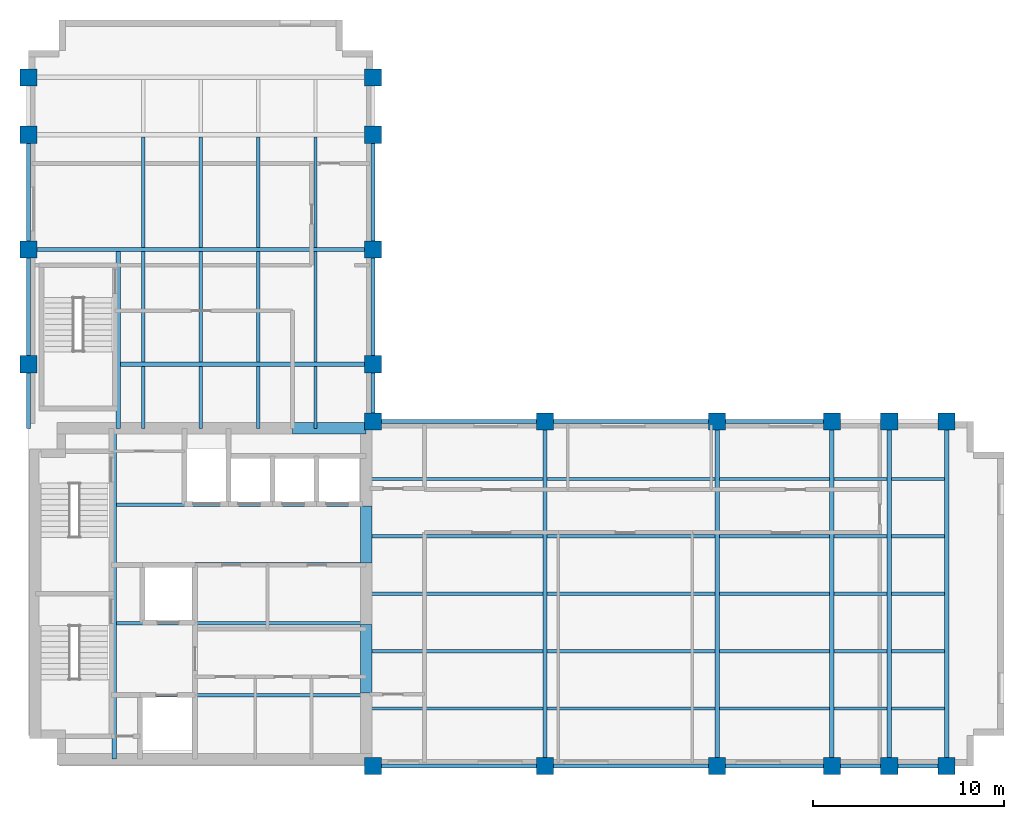
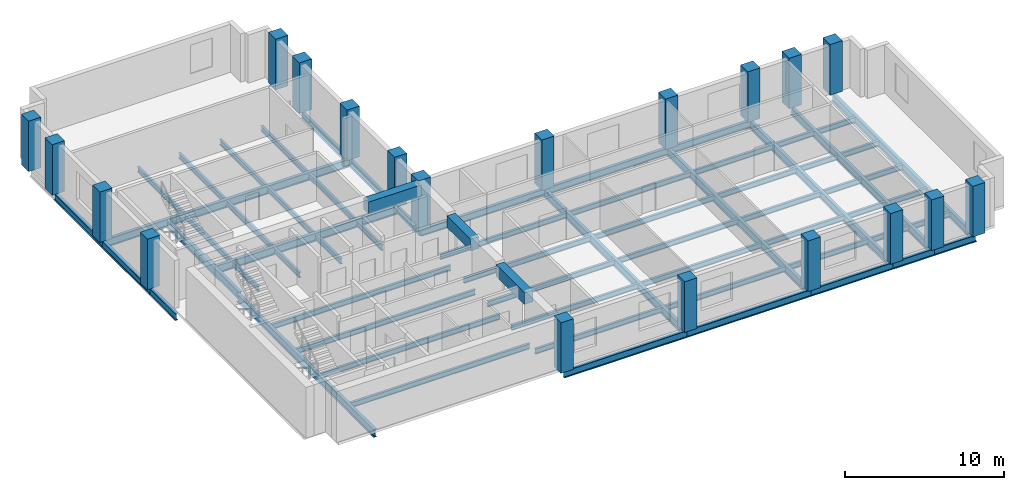
# One storey, part 1 of 6: 67 beams, 20 columns.
"""IFC4 building model written with IfcOpenShell, lengths in metres."""

from ifc_helpers import new_model, si_unit, direction, frame, origin, origin_2d, place, context, subcontext, project, spatial, rectangle, i_section, extrude, material, material_profile, profile_set, type_object, element, save


model = new_model("IFC4")

# Units and contexts
model_context = context("Model", 3, precision=1e-05, world=origin(), true_north=direction((0.0, 1.0)))
body_context = subcontext(model_context, "Body", "Model", "MODEL_VIEW")
ifc_project = project(units=[si_unit("LENGTHUNIT", "METRE"), si_unit("AREAUNIT", "SQUARE_METRE"), si_unit("VOLUMEUNIT", "CUBIC_METRE"), si_unit("PLANEANGLEUNIT", "RADIAN"), si_unit("MASSUNIT", "GRAM", prefix="KILO")], contexts=[model_context])

# Site, building, storey
site_placement = place(None, origin())
site = spatial("IfcSite", under=ifc_project, at=site_placement, CompositionType="ELEMENT")
building_placement = place(site_placement, origin())
building = spatial("IfcBuilding", under=site, at=building_placement, Name="Mawjdan Bourse Tower", CompositionType="ELEMENT")
storey_placement = place(building_placement, frame((0.0, 0.0, 207.300048828125)))
storey = spatial("IfcBuildingStorey", under=building, at=storey_placement, Name="L50", CompositionType="ELEMENT", Elevation=207.300048828125)

# Columns
ifc_material_1 = material(Name="Concrete C70/85", Category="concrete")
ifc_material_profile_1 = material_profile(ifc_material_1, rectangle(XDim=0.89990234375, YDim=0.89990234375, at=origin_2d()), Name="RC900X900")
ifc_profile_set_1 = profile_set([ifc_material_profile_1], Name="Concrete C70/85")
column_type = type_object("IfcColumnType", Name="COL-RC900X900", PredefinedType="COLUMN", material=ifc_profile_set_1)
for number, where, z_axis, x_axis, name in (
    (1, (24.0, 3.0, 0.0), (0.0, 0.0, 1.0), (1.0, 0.0, 0.0), "L50 Structural Column C-X240-Y30"),
    (2, (24.0, 21.0, 0.0), (0.0, 0.0, 1.0), (1.0, 0.0, 0.0), "L50 Structural Column C-X240-Y210"),
    (3, (33.0, 3.0, 0.0), (0.0, 0.0, 1.0), (1.0, 0.0, 0.0), "L50 Structural Column C-X330-Y30"),
    (4, (33.0, 21.0, 0.0), (0.0, 0.0, 1.0), (1.0, 0.0, 0.0), "L50 Structural Column C-X330-Y210"),
    (5, (42.0, 3.0, 0.0), (0.0, 0.0, 1.0), (1.0, 0.0, 0.0), "L50 Structural Column C-X420-Y30"),
    (6, (42.0, 21.0, 0.0), (0.0, 0.0, 1.0), (1.0, 0.0, 0.0), "L50 Structural Column C-X420-Y210"),
    (7, (48.0, 3.0, 0.0), (0.0, 0.0, 1.0), (1.0, 0.0, 0.0), "L50 Structural Column C-X480-Y30"),
    (8, (48.0, 21.0, 0.0), (0.0, 0.0, 1.0), (1.0, 0.0, 0.0), "L50 Structural Column C-X480-Y210"),
    (9, (51.0, 3.0, 0.0), (0.0, 0.0, 1.0), (1.0, 0.0, 0.0), "L50 Structural Column C-X510-Y30"),
    (10, (51.0, 21.0, 0.0), (0.0, 0.0, 1.0), (1.0, 0.0, 0.0), "L50 Structural Column C-X510-Y210"),
    (11, (54.0, 3.0, 0.0), (0.0, 0.0, 1.0), (1.0, 0.0, 0.0), "L50 Structural Column C-X540-Y30"),
    (12, (54.0, 21.0, 0.0), (0.0, 0.0, 1.0), (1.0, 0.0, 0.0), "L50 Structural Column C-X540-Y210"),
    (13, (6.0, 24.0, 0.0), (0.0, 0.0, 1.0), (1.0, 0.0, 0.0), "L50 Structural Column C-X60-Y240"),
    (14, (24.0, 24.0, 0.0), (0.0, 0.0, 1.0), (1.0, 0.0, 0.0), "L50 Structural Column C-X240-Y240"),
    (15, (6.0, 30.0, 0.0), (0.0, 0.0, 1.0), (1.0, 0.0, 0.0), "L50 Structural Column C-X60-Y300"),
    (16, (24.0, 30.0, 0.0), (0.0, 0.0, 1.0), (1.0, 0.0, 0.0), "L50 Structural Column C-X240-Y300"),
    (17, (6.0, 36.0, 0.0), (0.0, 0.0, 1.0), (1.0, 0.0, 0.0), "L50 Structural Column C-X60-Y360"),
    (18, (24.0, 36.0, 0.0), (0.0, 0.0, 1.0), (1.0, 0.0, 0.0), "L50 Structural Column C-X240-Y360"),
    (19, (6.0, 39.0, 0.0), (0.0, 0.0, 1.0), (1.0, 0.0, 0.0), "L50 Structural Column C-X60-Y390"),
    (20, (24.0, 39.0, 0.0), (0.0, 0.0, 1.0), (1.0, 0.0, 0.0), "L50 Structural Column C-X240-Y390"),
):
    element("IfcColumn", number, at=place(storey_placement, frame(where, z_axis=z_axis, x_axis=x_axis)), inside=storey, type_object=column_type, Name=name, PredefinedType="COLUMN", context=body_context, shape_type="SweptSolid", body=[
        extrude(rectangle(XDim=0.89990234375, YDim=0.89990234375, at=origin_2d()), origin(), (0.0, 0.0, 1.0), 3.89990234375),
    ])

# Beams
ifc_material_2 = material(Name="Structural Steel S355", Category="steel")
ifc_material_profile_2 = material_profile(ifc_material_2, i_section(OverallWidth=0.22998046875, OverallDepth=0.616943359375, WebThickness=0.01318359375, FlangeThickness=0.022216796875, FilletRadius=0.017822265625, at=origin_2d()), Name="W24X94")
ifc_profile_set_2 = profile_set([ifc_material_profile_2], Name="Structural Steel S355")
beam_type_1 = type_object("IfcBeamType", Name="GRD-W24X94", PredefinedType="BEAM", material=ifc_profile_set_2)
beam_1_placement = place(storey_placement, frame((10.47998046875, 3.35009765625, -0.508544921875), z_axis=(0.0, 1.0, 0.0), x_axis=(-1.0, 0.0, 0.0)))
element("IfcBeam", 21, at=beam_1_placement, inside=storey, type_object=beam_type_1, Name="L50 Core Stair Trimmer Girder 001", PredefinedType="BEAM", context=body_context, shape_type="SweptSolid", body=[
    extrude(i_section(OverallWidth=0.22998046875, OverallDepth=0.616943359375, WebThickness=0.01318359375, FlangeThickness=0.022216796875, FilletRadius=0.017822265625, at=origin_2d()), origin(), (0.0, 0.0, 1.0), 17.2998046875),
])
for number, where, z_axis, x_axis, name in (
    (22, (33.0, 3.0, -0.508544921875), (0.0, 1.0, 0.0), (-1.0, 0.0, 0.0), "L50 East Wing Clear-Span Girder 002"),
    (23, (42.0, 3.0, -0.508544921875), (0.0, 1.0, 0.0), (-1.0, 0.0, 0.0), "L50 East Wing Clear-Span Girder 003"),
    (24, (48.0, 3.0, -0.508544921875), (0.0, 1.0, 0.0), (-1.0, 0.0, 0.0), "L50 East Wing Clear-Span Girder 004"),
    (25, (51.0, 3.0, -0.508544921875), (0.0, 1.0, 0.0), (-1.0, 0.0, 0.0), "L50 East Wing Clear-Span Girder 005"),
    (26, (54.0, 3.0, -0.508544921875), (0.0, 1.0, 0.0), (-1.0, 0.0, 0.0), "L50 East Wing Clear-Span Girder 006"),
):
    element("IfcBeam", number, at=place(storey_placement, frame(where, z_axis=z_axis, x_axis=x_axis)), inside=storey, type_object=beam_type_1, Name=name, PredefinedType="BEAM", context=body_context, shape_type="SweptSolid", body=[
        extrude(i_section(OverallWidth=0.22998046875, OverallDepth=0.616943359375, WebThickness=0.01318359375, FlangeThickness=0.022216796875, FilletRadius=0.017822265625, at=origin_2d()), origin(), (0.0, 0.0, 1.0), 18.0),
    ])
beam_2_placement = place(storey_placement, frame((10.679931640625, 20.64990234375, -0.508544921875), z_axis=(0.0, 1.0, 0.0), x_axis=(-1.0, 0.0, 0.0)))
element("IfcBeam", 27, at=beam_2_placement, inside=storey, type_object=beam_type_1, Name="L50 North Wing Stair Trimmer Girder 046", PredefinedType="BEAM", context=body_context, shape_type="SweptSolid", body=[
    extrude(i_section(OverallWidth=0.22998046875, OverallDepth=0.616943359375, WebThickness=0.01318359375, FlangeThickness=0.022216796875, FilletRadius=0.017822265625, at=origin_2d()), origin(), (0.0, 0.0, 1.0), 9.237060546875),
])
beam_3_placement = place(storey_placement, frame((10.79296875, 24.0, -0.508544921875), z_axis=(1.0, 0.0, 0.0), x_axis=(0.0, 1.0, 0.0)))
element("IfcBeam", 28, at=beam_3_placement, inside=storey, type_object=beam_type_1, Name="L50 North Wing Clear-Span Girder 047", PredefinedType="BEAM", context=body_context, shape_type="SweptSolid", body=[
    extrude(i_section(OverallWidth=0.22998046875, OverallDepth=0.616943359375, WebThickness=0.01318359375, FlangeThickness=0.022216796875, FilletRadius=0.017822265625, at=origin_2d()), origin(), (0.0, 0.0, 1.0), 13.20703125),
])
beam_4_placement = place(storey_placement, frame((6.0, 30.0, -0.508544921875), z_axis=(1.0, 0.0, 0.0), x_axis=(0.0, 1.0, 0.0)))
element("IfcBeam", 29, at=beam_4_placement, inside=storey, type_object=beam_type_1, Name="L50 North Wing Clear-Span Girder 048", PredefinedType="BEAM", context=body_context, shape_type="SweptSolid", body=[
    extrude(i_section(OverallWidth=0.22998046875, OverallDepth=0.616943359375, WebThickness=0.01318359375, FlangeThickness=0.022216796875, FilletRadius=0.017822265625, at=origin_2d()), origin(), (0.0, 0.0, 1.0), 18.0),
])
ifc_material_profile_3 = material_profile(ifc_material_2, i_section(OverallWidth=0.177978515625, OverallDepth=0.406982421875, WebThickness=0.0078125, FlangeThickness=0.0126953125, FilletRadius=0.01025390625, at=origin_2d()), Name="W16X40")
ifc_profile_set_3 = profile_set([ifc_material_profile_3], Name="Structural Steel S355")
beam_type_2 = type_object("IfcBeamType", Name="JST-W16X40", PredefinedType="JOIST", material=ifc_profile_set_3)
beam_5_placement = place(storey_placement, frame((23.64990234375, 6.0, -0.403564453125), z_axis=(1.0, 0.0, 0.0), x_axis=(0.0, 1.0, 0.0)))
element("IfcBeam", 30, at=beam_5_placement, inside=storey, type_object=beam_type_2, Name="L50 East Wing Composite Joist 017", PredefinedType="JOIST", context=body_context, shape_type="SweptSolid", body=[
    extrude(i_section(OverallWidth=0.177978515625, OverallDepth=0.406982421875, WebThickness=0.0078125, FlangeThickness=0.0126953125, FilletRadius=0.01025390625, at=origin_2d()), origin(), (0.0, 0.0, 1.0), 9.237060546875),
])
beam_6_placement = place(storey_placement, frame((33.113037109375, 6.0, -0.403564453125), z_axis=(1.0, 0.0, 0.0), x_axis=(0.0, 1.0, 0.0)))
element("IfcBeam", 31, at=beam_6_placement, inside=storey, type_object=beam_type_2, Name="L50 East Wing Composite Joist 018", PredefinedType="JOIST", context=body_context, shape_type="SweptSolid", body=[
    extrude(i_section(OverallWidth=0.177978515625, OverallDepth=0.406982421875, WebThickness=0.0078125, FlangeThickness=0.0126953125, FilletRadius=0.01025390625, at=origin_2d()), origin(), (0.0, 0.0, 1.0), 8.77392578125),
])
beam_7_placement = place(storey_placement, frame((42.113037109375, 6.0, -0.403564453125), z_axis=(1.0, 0.0, 0.0), x_axis=(0.0, 1.0, 0.0)))
element("IfcBeam", 32, at=beam_7_placement, inside=storey, type_object=beam_type_2, Name="L50 East Wing Composite Joist 019", PredefinedType="JOIST", context=body_context, shape_type="SweptSolid", body=[
    extrude(i_section(OverallWidth=0.177978515625, OverallDepth=0.406982421875, WebThickness=0.0078125, FlangeThickness=0.0126953125, FilletRadius=0.01025390625, at=origin_2d()), origin(), (0.0, 0.0, 1.0), 5.77392578125),
])
for number, where, z_axis, x_axis, name in (
    (33, (48.113037109375, 6.0, -0.403564453125), (1.0, 0.0, 0.0), (0.0, 1.0, 0.0), "L50 East Wing Composite Joist 020"),
    (34, (51.113037109375, 6.0, -0.403564453125), (1.0, 0.0, 0.0), (0.0, 1.0, 0.0), "L50 East Wing Composite Joist 021"),
):
    element("IfcBeam", number, at=place(storey_placement, frame(where, z_axis=z_axis, x_axis=x_axis)), inside=storey, type_object=beam_type_2, Name=name, PredefinedType="JOIST", context=body_context, shape_type="SweptSolid", body=[
        extrude(i_section(OverallWidth=0.177978515625, OverallDepth=0.406982421875, WebThickness=0.0078125, FlangeThickness=0.0126953125, FilletRadius=0.01025390625, at=origin_2d()), origin(), (0.0, 0.0, 1.0), 2.77392578125),
    ])
beam_8_placement = place(storey_placement, frame((23.64990234375, 9.0, -0.403564453125), z_axis=(1.0, 0.0, 0.0), x_axis=(0.0, 1.0, 0.0)))
element("IfcBeam", 35, at=beam_8_placement, inside=storey, type_object=beam_type_2, Name="L50 East Wing Composite Joist 022", PredefinedType="JOIST", context=body_context, shape_type="SweptSolid", body=[
    extrude(i_section(OverallWidth=0.177978515625, OverallDepth=0.406982421875, WebThickness=0.0078125, FlangeThickness=0.0126953125, FilletRadius=0.01025390625, at=origin_2d()), origin(), (0.0, 0.0, 1.0), 9.237060546875),
])
beam_9_placement = place(storey_placement, frame((33.113037109375, 9.0, -0.403564453125), z_axis=(1.0, 0.0, 0.0), x_axis=(0.0, 1.0, 0.0)))
element("IfcBeam", 36, at=beam_9_placement, inside=storey, type_object=beam_type_2, Name="L50 East Wing Composite Joist 023", PredefinedType="JOIST", context=body_context, shape_type="SweptSolid", body=[
    extrude(i_section(OverallWidth=0.177978515625, OverallDepth=0.406982421875, WebThickness=0.0078125, FlangeThickness=0.0126953125, FilletRadius=0.01025390625, at=origin_2d()), origin(), (0.0, 0.0, 1.0), 8.77392578125),
])
beam_10_placement = place(storey_placement, frame((42.113037109375, 9.0, -0.403564453125), z_axis=(1.0, 0.0, 0.0), x_axis=(0.0, 1.0, 0.0)))
element("IfcBeam", 37, at=beam_10_placement, inside=storey, type_object=beam_type_2, Name="L50 East Wing Composite Joist 024", PredefinedType="JOIST", context=body_context, shape_type="SweptSolid", body=[
    extrude(i_section(OverallWidth=0.177978515625, OverallDepth=0.406982421875, WebThickness=0.0078125, FlangeThickness=0.0126953125, FilletRadius=0.01025390625, at=origin_2d()), origin(), (0.0, 0.0, 1.0), 5.77392578125),
])
for number, where, z_axis, x_axis, name in (
    (38, (48.113037109375, 9.0, -0.403564453125), (1.0, 0.0, 0.0), (0.0, 1.0, 0.0), "L50 East Wing Composite Joist 025"),
    (39, (51.113037109375, 9.0, -0.403564453125), (1.0, 0.0, 0.0), (0.0, 1.0, 0.0), "L50 East Wing Composite Joist 026"),
):
    element("IfcBeam", number, at=place(storey_placement, frame(where, z_axis=z_axis, x_axis=x_axis)), inside=storey, type_object=beam_type_2, Name=name, PredefinedType="JOIST", context=body_context, shape_type="SweptSolid", body=[
        extrude(i_section(OverallWidth=0.177978515625, OverallDepth=0.406982421875, WebThickness=0.0078125, FlangeThickness=0.0126953125, FilletRadius=0.01025390625, at=origin_2d()), origin(), (0.0, 0.0, 1.0), 2.77392578125),
    ])
beam_11_placement = place(storey_placement, frame((23.64990234375, 12.0, -0.403564453125), z_axis=(1.0, 0.0, 0.0), x_axis=(0.0, 1.0, 0.0)))
element("IfcBeam", 40, at=beam_11_placement, inside=storey, type_object=beam_type_2, Name="L50 East Wing Composite Joist 027", PredefinedType="JOIST", context=body_context, shape_type="SweptSolid", body=[
    extrude(i_section(OverallWidth=0.177978515625, OverallDepth=0.406982421875, WebThickness=0.0078125, FlangeThickness=0.0126953125, FilletRadius=0.01025390625, at=origin_2d()), origin(), (0.0, 0.0, 1.0), 9.237060546875),
])
beam_12_placement = place(storey_placement, frame((33.113037109375, 12.0, -0.403564453125), z_axis=(1.0, 0.0, 0.0), x_axis=(0.0, 1.0, 0.0)))
element("IfcBeam", 41, at=beam_12_placement, inside=storey, type_object=beam_type_2, Name="L50 East Wing Composite Joist 028", PredefinedType="JOIST", context=body_context, shape_type="SweptSolid", body=[
    extrude(i_section(OverallWidth=0.177978515625, OverallDepth=0.406982421875, WebThickness=0.0078125, FlangeThickness=0.0126953125, FilletRadius=0.01025390625, at=origin_2d()), origin(), (0.0, 0.0, 1.0), 8.77392578125),
])
beam_13_placement = place(storey_placement, frame((42.113037109375, 12.0, -0.403564453125), z_axis=(1.0, 0.0, 0.0), x_axis=(0.0, 1.0, 0.0)))
element("IfcBeam", 42, at=beam_13_placement, inside=storey, type_object=beam_type_2, Name="L50 East Wing Composite Joist 029", PredefinedType="JOIST", context=body_context, shape_type="SweptSolid", body=[
    extrude(i_section(OverallWidth=0.177978515625, OverallDepth=0.406982421875, WebThickness=0.0078125, FlangeThickness=0.0126953125, FilletRadius=0.01025390625, at=origin_2d()), origin(), (0.0, 0.0, 1.0), 5.77392578125),
])
for number, where, z_axis, x_axis, name in (
    (43, (48.113037109375, 12.0, -0.403564453125), (1.0, 0.0, 0.0), (0.0, 1.0, 0.0), "L50 East Wing Composite Joist 030"),
    (44, (51.113037109375, 12.0, -0.403564453125), (1.0, 0.0, 0.0), (0.0, 1.0, 0.0), "L50 East Wing Composite Joist 031"),
):
    element("IfcBeam", number, at=place(storey_placement, frame(where, z_axis=z_axis, x_axis=x_axis)), inside=storey, type_object=beam_type_2, Name=name, PredefinedType="JOIST", context=body_context, shape_type="SweptSolid", body=[
        extrude(i_section(OverallWidth=0.177978515625, OverallDepth=0.406982421875, WebThickness=0.0078125, FlangeThickness=0.0126953125, FilletRadius=0.01025390625, at=origin_2d()), origin(), (0.0, 0.0, 1.0), 2.77392578125),
    ])
beam_14_placement = place(storey_placement, frame((23.64990234375, 15.0, -0.403564453125), z_axis=(1.0, 0.0, 0.0), x_axis=(0.0, 1.0, 0.0)))
element("IfcBeam", 45, at=beam_14_placement, inside=storey, type_object=beam_type_2, Name="L50 East Wing Composite Joist 032", PredefinedType="JOIST", context=body_context, shape_type="SweptSolid", body=[
    extrude(i_section(OverallWidth=0.177978515625, OverallDepth=0.406982421875, WebThickness=0.0078125, FlangeThickness=0.0126953125, FilletRadius=0.01025390625, at=origin_2d()), origin(), (0.0, 0.0, 1.0), 9.237060546875),
])
beam_15_placement = place(storey_placement, frame((33.113037109375, 15.0, -0.403564453125), z_axis=(1.0, 0.0, 0.0), x_axis=(0.0, 1.0, 0.0)))
element("IfcBeam", 46, at=beam_15_placement, inside=storey, type_object=beam_type_2, Name="L50 East Wing Composite Joist 033", PredefinedType="JOIST", context=body_context, shape_type="SweptSolid", body=[
    extrude(i_section(OverallWidth=0.177978515625, OverallDepth=0.406982421875, WebThickness=0.0078125, FlangeThickness=0.0126953125, FilletRadius=0.01025390625, at=origin_2d()), origin(), (0.0, 0.0, 1.0), 8.77392578125),
])
beam_16_placement = place(storey_placement, frame((42.113037109375, 15.0, -0.403564453125), z_axis=(1.0, 0.0, 0.0), x_axis=(0.0, 1.0, 0.0)))
element("IfcBeam", 47, at=beam_16_placement, inside=storey, type_object=beam_type_2, Name="L50 East Wing Composite Joist 034", PredefinedType="JOIST", context=body_context, shape_type="SweptSolid", body=[
    extrude(i_section(OverallWidth=0.177978515625, OverallDepth=0.406982421875, WebThickness=0.0078125, FlangeThickness=0.0126953125, FilletRadius=0.01025390625, at=origin_2d()), origin(), (0.0, 0.0, 1.0), 5.77392578125),
])
for number, where, z_axis, x_axis, name in (
    (48, (48.113037109375, 15.0, -0.403564453125), (1.0, 0.0, 0.0), (0.0, 1.0, 0.0), "L50 East Wing Composite Joist 035"),
    (49, (51.113037109375, 15.0, -0.403564453125), (1.0, 0.0, 0.0), (0.0, 1.0, 0.0), "L50 East Wing Composite Joist 036"),
):
    element("IfcBeam", number, at=place(storey_placement, frame(where, z_axis=z_axis, x_axis=x_axis)), inside=storey, type_object=beam_type_2, Name=name, PredefinedType="JOIST", context=body_context, shape_type="SweptSolid", body=[
        extrude(i_section(OverallWidth=0.177978515625, OverallDepth=0.406982421875, WebThickness=0.0078125, FlangeThickness=0.0126953125, FilletRadius=0.01025390625, at=origin_2d()), origin(), (0.0, 0.0, 1.0), 2.77392578125),
    ])
beam_17_placement = place(storey_placement, frame((23.64990234375, 18.0, -0.403564453125), z_axis=(1.0, 0.0, 0.0), x_axis=(0.0, 1.0, 0.0)))
element("IfcBeam", 50, at=beam_17_placement, inside=storey, type_object=beam_type_2, Name="L50 East Wing Composite Joist 037", PredefinedType="JOIST", context=body_context, shape_type="SweptSolid", body=[
    extrude(i_section(OverallWidth=0.177978515625, OverallDepth=0.406982421875, WebThickness=0.0078125, FlangeThickness=0.0126953125, FilletRadius=0.01025390625, at=origin_2d()), origin(), (0.0, 0.0, 1.0), 9.237060546875),
])
beam_18_placement = place(storey_placement, frame((33.113037109375, 18.0, -0.403564453125), z_axis=(1.0, 0.0, 0.0), x_axis=(0.0, 1.0, 0.0)))
element("IfcBeam", 51, at=beam_18_placement, inside=storey, type_object=beam_type_2, Name="L50 East Wing Composite Joist 038", PredefinedType="JOIST", context=body_context, shape_type="SweptSolid", body=[
    extrude(i_section(OverallWidth=0.177978515625, OverallDepth=0.406982421875, WebThickness=0.0078125, FlangeThickness=0.0126953125, FilletRadius=0.01025390625, at=origin_2d()), origin(), (0.0, 0.0, 1.0), 8.77392578125),
])
beam_19_placement = place(storey_placement, frame((42.113037109375, 18.0, -0.403564453125), z_axis=(1.0, 0.0, 0.0), x_axis=(0.0, 1.0, 0.0)))
element("IfcBeam", 52, at=beam_19_placement, inside=storey, type_object=beam_type_2, Name="L50 East Wing Composite Joist 039", PredefinedType="JOIST", context=body_context, shape_type="SweptSolid", body=[
    extrude(i_section(OverallWidth=0.177978515625, OverallDepth=0.406982421875, WebThickness=0.0078125, FlangeThickness=0.0126953125, FilletRadius=0.01025390625, at=origin_2d()), origin(), (0.0, 0.0, 1.0), 5.77392578125),
])
for number, where, z_axis, x_axis, name in (
    (53, (48.113037109375, 18.0, -0.403564453125), (1.0, 0.0, 0.0), (0.0, 1.0, 0.0), "L50 East Wing Composite Joist 040"),
    (54, (51.113037109375, 18.0, -0.403564453125), (1.0, 0.0, 0.0), (0.0, 1.0, 0.0), "L50 East Wing Composite Joist 041"),
):
    element("IfcBeam", number, at=place(storey_placement, frame(where, z_axis=z_axis, x_axis=x_axis)), inside=storey, type_object=beam_type_2, Name=name, PredefinedType="JOIST", context=body_context, shape_type="SweptSolid", body=[
        extrude(i_section(OverallWidth=0.177978515625, OverallDepth=0.406982421875, WebThickness=0.0078125, FlangeThickness=0.0126953125, FilletRadius=0.01025390625, at=origin_2d()), origin(), (0.0, 0.0, 1.0), 2.77392578125),
    ])
for number, where, z_axis, x_axis, name in (
    (55, (10.593017578125, 6.699951171875, -0.403564453125), (1.0, 0.0, 0.0), (0.0, 1.0, 0.0), "L50 Core Floor Joist 042"),
    (56, (10.593017578125, 10.449951171875, -0.403564453125), (1.0, 0.0, 0.0), (0.0, 1.0, 0.0), "L50 Core Floor Joist 043"),
    (57, (10.593017578125, 13.550048828125, -0.403564453125), (1.0, 0.0, 0.0), (0.0, 1.0, 0.0), "L50 Core Floor Joist 044"),
    (58, (10.593017578125, 16.64990234375, -0.403564453125), (1.0, 0.0, 0.0), (0.0, 1.0, 0.0), "L50 Core Floor Joist 045"),
):
    element("IfcBeam", number, at=place(storey_placement, frame(where, z_axis=z_axis, x_axis=x_axis)), inside=storey, type_object=beam_type_2, Name=name, PredefinedType="JOIST", context=body_context, shape_type="SweptSolid", body=[
        extrude(i_section(OverallWidth=0.177978515625, OverallDepth=0.406982421875, WebThickness=0.0078125, FlangeThickness=0.0126953125, FilletRadius=0.01025390625, at=origin_2d()), origin(), (0.0, 0.0, 1.0), 13.056884765625),
    ])
beam_20_placement = place(storey_placement, frame((12.0, 20.64990234375, -0.403564453125), z_axis=(0.0, 1.0, 0.0), x_axis=(-1.0, 0.0, 0.0)))
element("IfcBeam", 59, at=beam_20_placement, inside=storey, type_object=beam_type_2, Name="L50 North Wing Composite Joist 059", PredefinedType="JOIST", context=body_context, shape_type="SweptSolid", body=[
    extrude(i_section(OverallWidth=0.177978515625, OverallDepth=0.406982421875, WebThickness=0.0078125, FlangeThickness=0.0126953125, FilletRadius=0.01025390625, at=origin_2d()), origin(), (0.0, 0.0, 1.0), 3.237060546875),
])
for number, where, z_axis, x_axis, name in (
    (60, (12.0, 24.113037109375, -0.403564453125), (0.0, 1.0, 0.0), (-1.0, 0.0, 0.0), "L50 North Wing Composite Joist 060"),
    (61, (12.0, 30.113037109375, -0.403564453125), (0.0, 1.0, 0.0), (-1.0, 0.0, 0.0), "L50 North Wing Composite Joist 061"),
):
    element("IfcBeam", number, at=place(storey_placement, frame(where, z_axis=z_axis, x_axis=x_axis)), inside=storey, type_object=beam_type_2, Name=name, PredefinedType="JOIST", context=body_context, shape_type="SweptSolid", body=[
        extrude(i_section(OverallWidth=0.177978515625, OverallDepth=0.406982421875, WebThickness=0.0078125, FlangeThickness=0.0126953125, FilletRadius=0.01025390625, at=origin_2d()), origin(), (0.0, 0.0, 1.0), 5.77392578125),
    ])
beam_21_placement = place(storey_placement, frame((15.0, 20.64990234375, -0.403564453125), z_axis=(0.0, 1.0, 0.0), x_axis=(-1.0, 0.0, 0.0)))
element("IfcBeam", 62, at=beam_21_placement, inside=storey, type_object=beam_type_2, Name="L50 North Wing Composite Joist 063", PredefinedType="JOIST", context=body_context, shape_type="SweptSolid", body=[
    extrude(i_section(OverallWidth=0.177978515625, OverallDepth=0.406982421875, WebThickness=0.0078125, FlangeThickness=0.0126953125, FilletRadius=0.01025390625, at=origin_2d()), origin(), (0.0, 0.0, 1.0), 3.237060546875),
])
for number, where, z_axis, x_axis, name in (
    (63, (15.0, 24.113037109375, -0.403564453125), (0.0, 1.0, 0.0), (-1.0, 0.0, 0.0), "L50 North Wing Composite Joist 064"),
    (64, (15.0, 30.113037109375, -0.403564453125), (0.0, 1.0, 0.0), (-1.0, 0.0, 0.0), "L50 North Wing Composite Joist 065"),
):
    element("IfcBeam", number, at=place(storey_placement, frame(where, z_axis=z_axis, x_axis=x_axis)), inside=storey, type_object=beam_type_2, Name=name, PredefinedType="JOIST", context=body_context, shape_type="SweptSolid", body=[
        extrude(i_section(OverallWidth=0.177978515625, OverallDepth=0.406982421875, WebThickness=0.0078125, FlangeThickness=0.0126953125, FilletRadius=0.01025390625, at=origin_2d()), origin(), (0.0, 0.0, 1.0), 5.77392578125),
    ])
beam_22_placement = place(storey_placement, frame((18.0, 20.64990234375, -0.403564453125), z_axis=(0.0, 1.0, 0.0), x_axis=(-1.0, 0.0, 0.0)))
element("IfcBeam", 65, at=beam_22_placement, inside=storey, type_object=beam_type_2, Name="L50 North Wing Composite Joist 067", PredefinedType="JOIST", context=body_context, shape_type="SweptSolid", body=[
    extrude(i_section(OverallWidth=0.177978515625, OverallDepth=0.406982421875, WebThickness=0.0078125, FlangeThickness=0.0126953125, FilletRadius=0.01025390625, at=origin_2d()), origin(), (0.0, 0.0, 1.0), 3.237060546875),
])
for number, where, z_axis, x_axis, name in (
    (66, (18.0, 24.113037109375, -0.403564453125), (0.0, 1.0, 0.0), (-1.0, 0.0, 0.0), "L50 North Wing Composite Joist 068"),
    (67, (18.0, 30.113037109375, -0.403564453125), (0.0, 1.0, 0.0), (-1.0, 0.0, 0.0), "L50 North Wing Composite Joist 069"),
):
    element("IfcBeam", number, at=place(storey_placement, frame(where, z_axis=z_axis, x_axis=x_axis)), inside=storey, type_object=beam_type_2, Name=name, PredefinedType="JOIST", context=body_context, shape_type="SweptSolid", body=[
        extrude(i_section(OverallWidth=0.177978515625, OverallDepth=0.406982421875, WebThickness=0.0078125, FlangeThickness=0.0126953125, FilletRadius=0.01025390625, at=origin_2d()), origin(), (0.0, 0.0, 1.0), 5.77392578125),
    ])
beam_23_placement = place(storey_placement, frame((21.0, 20.64990234375, -0.403564453125), z_axis=(0.0, 1.0, 0.0), x_axis=(-1.0, 0.0, 0.0)))
element("IfcBeam", 68, at=beam_23_placement, inside=storey, type_object=beam_type_2, Name="L50 North Wing Composite Joist 071", PredefinedType="JOIST", context=body_context, shape_type="SweptSolid", body=[
    extrude(i_section(OverallWidth=0.177978515625, OverallDepth=0.406982421875, WebThickness=0.0078125, FlangeThickness=0.0126953125, FilletRadius=0.01025390625, at=origin_2d()), origin(), (0.0, 0.0, 1.0), 3.237060546875),
])
for number, where, z_axis, x_axis, name in (
    (69, (21.0, 24.113037109375, -0.403564453125), (0.0, 1.0, 0.0), (-1.0, 0.0, 0.0), "L50 North Wing Composite Joist 072"),
    (70, (21.0, 30.113037109375, -0.403564453125), (0.0, 1.0, 0.0), (-1.0, 0.0, 0.0), "L50 North Wing Composite Joist 073"),
):
    element("IfcBeam", number, at=place(storey_placement, frame(where, z_axis=z_axis, x_axis=x_axis)), inside=storey, type_object=beam_type_2, Name=name, PredefinedType="JOIST", context=body_context, shape_type="SweptSolid", body=[
        extrude(i_section(OverallWidth=0.177978515625, OverallDepth=0.406982421875, WebThickness=0.0078125, FlangeThickness=0.0126953125, FilletRadius=0.01025390625, at=origin_2d()), origin(), (0.0, 0.0, 1.0), 5.77392578125),
    ])
ifc_material_profile_4 = material_profile(ifc_material_1, rectangle(XDim=0.60009765625, YDim=0.89990234375, at=origin_2d()), Name="RCB600X900")
ifc_profile_set_4 = profile_set([ifc_material_profile_4], Name="Concrete C70/85")
beam_type_3 = type_object("IfcBeamType", Name="LNT-RCB600X900", PredefinedType="LINTEL", material=ifc_profile_set_4)
beam_24_placement = place(storey_placement, frame((23.64990234375, 6.800048828125, 3.25), z_axis=(0.0, 1.0, 0.0), x_axis=(-1.0, 0.0, 0.0)))
element("IfcBeam", 71, at=beam_24_placement, inside=storey, type_object=beam_type_3, Name="L50 Coupled Core Lintel CB-E1", PredefinedType="LINTEL", context=body_context, shape_type="SweptSolid", body=[
    extrude(rectangle(XDim=0.60009765625, YDim=0.89990234375, at=origin_2d()), origin(), (0.0, 0.0, 1.0), 3.599853515625),
])
beam_25_placement = place(storey_placement, frame((23.64990234375, 13.60009765625, 3.25), z_axis=(0.0, 1.0, 0.0), x_axis=(-1.0, 0.0, 0.0)))
element("IfcBeam", 72, at=beam_25_placement, inside=storey, type_object=beam_type_3, Name="L50 Coupled Core Lintel CB-E2", PredefinedType="LINTEL", context=body_context, shape_type="SweptSolid", body=[
    extrude(rectangle(XDim=0.60009765625, YDim=0.89990234375, at=origin_2d()), origin(), (0.0, 0.0, 1.0), 3.0),
])
beam_26_placement = place(storey_placement, frame((19.800048828125, 20.64990234375, 3.25), z_axis=(1.0, 0.0, 0.0), x_axis=(0.0, 1.0, 0.0)))
element("IfcBeam", 73, at=beam_26_placement, inside=storey, type_object=beam_type_3, Name="L50 Coupled Core Lintel CB-N1", PredefinedType="LINTEL", context=body_context, shape_type="SweptSolid", body=[
    extrude(rectangle(XDim=0.60009765625, YDim=0.89990234375, at=origin_2d()), origin(), (0.0, 0.0, 1.0), 3.849853515625),
])
ifc_material_profile_5 = material_profile(ifc_material_2, i_section(OverallWidth=0.2099609375, OverallDepth=0.537109375, WebThickness=0.010986328125, FlangeThickness=0.017333984375, FilletRadius=0.013916015625, at=origin_2d()), Name="W21X68")
ifc_profile_set_5 = profile_set([ifc_material_profile_5], Name="Structural Steel S355")
beam_type_4 = type_object("IfcBeamType", Name="SPN-W21X68", PredefinedType="SPANDREL", material=ifc_profile_set_5)
for number, where, z_axis, x_axis, name in (
    (74, (24.0, 3.0, -0.468505859375), (1.0, 0.0, 0.0), (0.0, 1.0, 0.0), "L50 Perimeter Masonry-Shelf Spandrel 007"),
    (75, (33.0, 3.0, -0.468505859375), (1.0, 0.0, 0.0), (0.0, 1.0, 0.0), "L50 Perimeter Masonry-Shelf Spandrel 008"),
):
    element("IfcBeam", number, at=place(storey_placement, frame(where, z_axis=z_axis, x_axis=x_axis)), inside=storey, type_object=beam_type_4, Name=name, PredefinedType="SPANDREL", context=body_context, shape_type="SweptSolid", body=[
        extrude(i_section(OverallWidth=0.2099609375, OverallDepth=0.537109375, WebThickness=0.010986328125, FlangeThickness=0.017333984375, FilletRadius=0.013916015625, at=origin_2d()), origin(), (0.0, 0.0, 1.0), 9.0),
    ])
beam_27_placement = place(storey_placement, frame((42.0, 3.0, -0.468505859375), z_axis=(1.0, 0.0, 0.0), x_axis=(0.0, 1.0, 0.0)))
element("IfcBeam", 76, at=beam_27_placement, inside=storey, type_object=beam_type_4, Name="L50 Perimeter Masonry-Shelf Spandrel 009", PredefinedType="SPANDREL", context=body_context, shape_type="SweptSolid", body=[
    extrude(i_section(OverallWidth=0.2099609375, OverallDepth=0.537109375, WebThickness=0.010986328125, FlangeThickness=0.017333984375, FilletRadius=0.013916015625, at=origin_2d()), origin(), (0.0, 0.0, 1.0), 6.0),
])
for number, where, z_axis, x_axis, name in (
    (77, (48.0, 3.0, -0.468505859375), (1.0, 0.0, 0.0), (0.0, 1.0, 0.0), "L50 Perimeter Masonry-Shelf Spandrel 010"),
    (78, (51.0, 3.0, -0.468505859375), (1.0, 0.0, 0.0), (0.0, 1.0, 0.0), "L50 Perimeter Masonry-Shelf Spandrel 011"),
):
    element("IfcBeam", number, at=place(storey_placement, frame(where, z_axis=z_axis, x_axis=x_axis)), inside=storey, type_object=beam_type_4, Name=name, PredefinedType="SPANDREL", context=body_context, shape_type="SweptSolid", body=[
        extrude(i_section(OverallWidth=0.2099609375, OverallDepth=0.537109375, WebThickness=0.010986328125, FlangeThickness=0.017333984375, FilletRadius=0.013916015625, at=origin_2d()), origin(), (0.0, 0.0, 1.0), 3.0),
    ])
for number, where, z_axis, x_axis, name in (
    (79, (24.0, 21.0, -0.468505859375), (1.0, 0.0, 0.0), (0.0, 1.0, 0.0), "L50 Perimeter Masonry-Shelf Spandrel 012"),
    (80, (33.0, 21.0, -0.468505859375), (1.0, 0.0, 0.0), (0.0, 1.0, 0.0), "L50 Perimeter Masonry-Shelf Spandrel 013"),
):
    element("IfcBeam", number, at=place(storey_placement, frame(where, z_axis=z_axis, x_axis=x_axis)), inside=storey, type_object=beam_type_4, Name=name, PredefinedType="SPANDREL", context=body_context, shape_type="SweptSolid", body=[
        extrude(i_section(OverallWidth=0.2099609375, OverallDepth=0.537109375, WebThickness=0.010986328125, FlangeThickness=0.017333984375, FilletRadius=0.013916015625, at=origin_2d()), origin(), (0.0, 0.0, 1.0), 9.0),
    ])
beam_28_placement = place(storey_placement, frame((42.0, 21.0, -0.468505859375), z_axis=(1.0, 0.0, 0.0), x_axis=(0.0, 1.0, 0.0)))
element("IfcBeam", 81, at=beam_28_placement, inside=storey, type_object=beam_type_4, Name="L50 Perimeter Masonry-Shelf Spandrel 014", PredefinedType="SPANDREL", context=body_context, shape_type="SweptSolid", body=[
    extrude(i_section(OverallWidth=0.2099609375, OverallDepth=0.537109375, WebThickness=0.010986328125, FlangeThickness=0.017333984375, FilletRadius=0.013916015625, at=origin_2d()), origin(), (0.0, 0.0, 1.0), 6.0),
])
beam_29_placement = place(storey_placement, frame((6.0, 20.64990234375, -0.468505859375), z_axis=(0.0, 1.0, 0.0), x_axis=(-1.0, 0.0, 0.0)))
element("IfcBeam", 82, at=beam_29_placement, inside=storey, type_object=beam_type_4, Name="L50 North Wing Spandrel 051", PredefinedType="SPANDREL", context=body_context, shape_type="SweptSolid", body=[
    extrude(i_section(OverallWidth=0.2099609375, OverallDepth=0.537109375, WebThickness=0.010986328125, FlangeThickness=0.017333984375, FilletRadius=0.013916015625, at=origin_2d()), origin(), (0.0, 0.0, 1.0), 3.35009765625),
])
for number, where, z_axis, x_axis, name in (
    (83, (6.0, 24.0, -0.468505859375), (0.0, 1.0, 0.0), (-1.0, 0.0, 0.0), "L50 North Wing Spandrel 052"),
    (84, (6.0, 30.0, -0.468505859375), (0.0, 1.0, 0.0), (-1.0, 0.0, 0.0), "L50 North Wing Spandrel 053"),
):
    element("IfcBeam", number, at=place(storey_placement, frame(where, z_axis=z_axis, x_axis=x_axis)), inside=storey, type_object=beam_type_4, Name=name, PredefinedType="SPANDREL", context=body_context, shape_type="SweptSolid", body=[
        extrude(i_section(OverallWidth=0.2099609375, OverallDepth=0.537109375, WebThickness=0.010986328125, FlangeThickness=0.017333984375, FilletRadius=0.013916015625, at=origin_2d()), origin(), (0.0, 0.0, 1.0), 6.0),
    ])
beam_30_placement = place(storey_placement, frame((24.0, 21.0, -0.468505859375), z_axis=(0.0, 1.0, 0.0), x_axis=(-1.0, 0.0, 0.0)))
element("IfcBeam", 85, at=beam_30_placement, inside=storey, type_object=beam_type_4, Name="L50 North Wing Spandrel 055", PredefinedType="SPANDREL", context=body_context, shape_type="SweptSolid", body=[
    extrude(i_section(OverallWidth=0.2099609375, OverallDepth=0.537109375, WebThickness=0.010986328125, FlangeThickness=0.017333984375, FilletRadius=0.013916015625, at=origin_2d()), origin(), (0.0, 0.0, 1.0), 3.0),
])
for number, where, z_axis, x_axis, name in (
    (86, (24.0, 24.0, -0.468505859375), (0.0, 1.0, 0.0), (-1.0, 0.0, 0.0), "L50 North Wing Spandrel 056"),
    (87, (24.0, 30.0, -0.468505859375), (0.0, 1.0, 0.0), (-1.0, 0.0, 0.0), "L50 North Wing Spandrel 057"),
):
    element("IfcBeam", number, at=place(storey_placement, frame(where, z_axis=z_axis, x_axis=x_axis)), inside=storey, type_object=beam_type_4, Name=name, PredefinedType="SPANDREL", context=body_context, shape_type="SweptSolid", body=[
        extrude(i_section(OverallWidth=0.2099609375, OverallDepth=0.537109375, WebThickness=0.010986328125, FlangeThickness=0.017333984375, FilletRadius=0.013916015625, at=origin_2d()), origin(), (0.0, 0.0, 1.0), 6.0),
    ])

save(model, "model.ifc")
